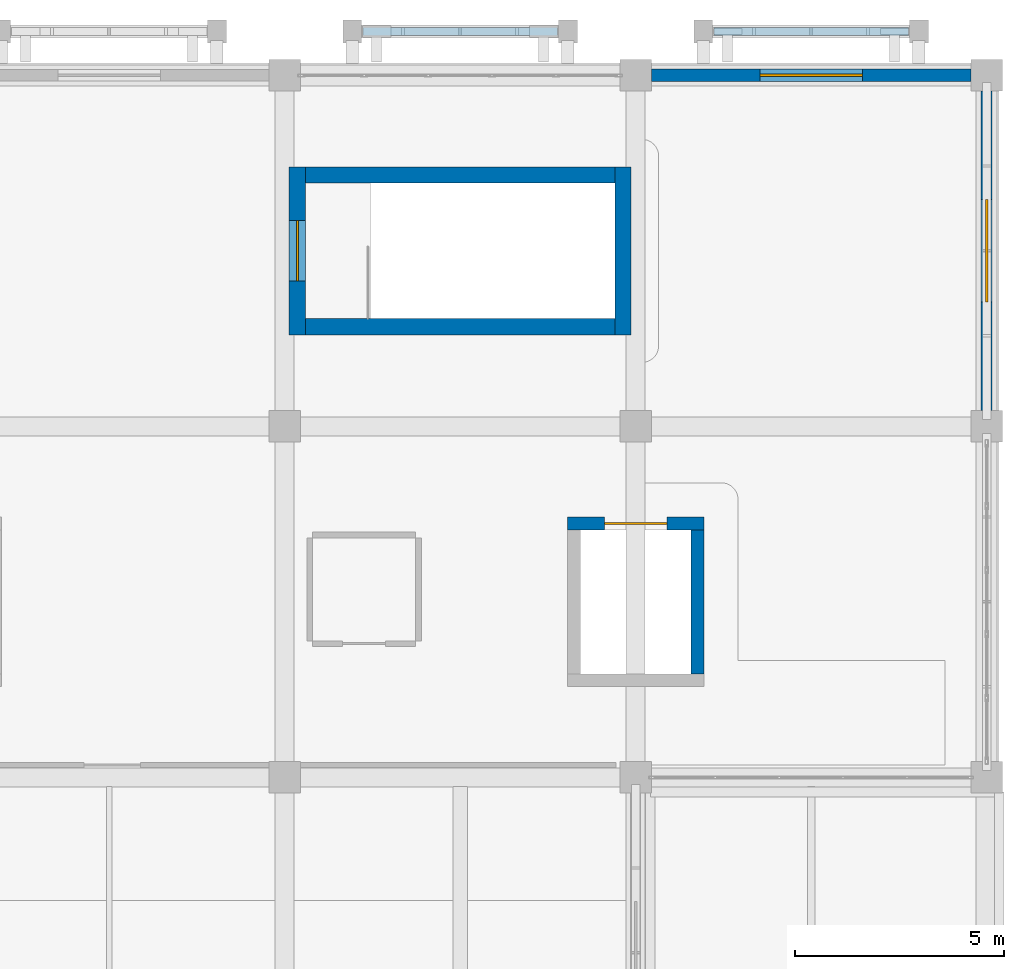
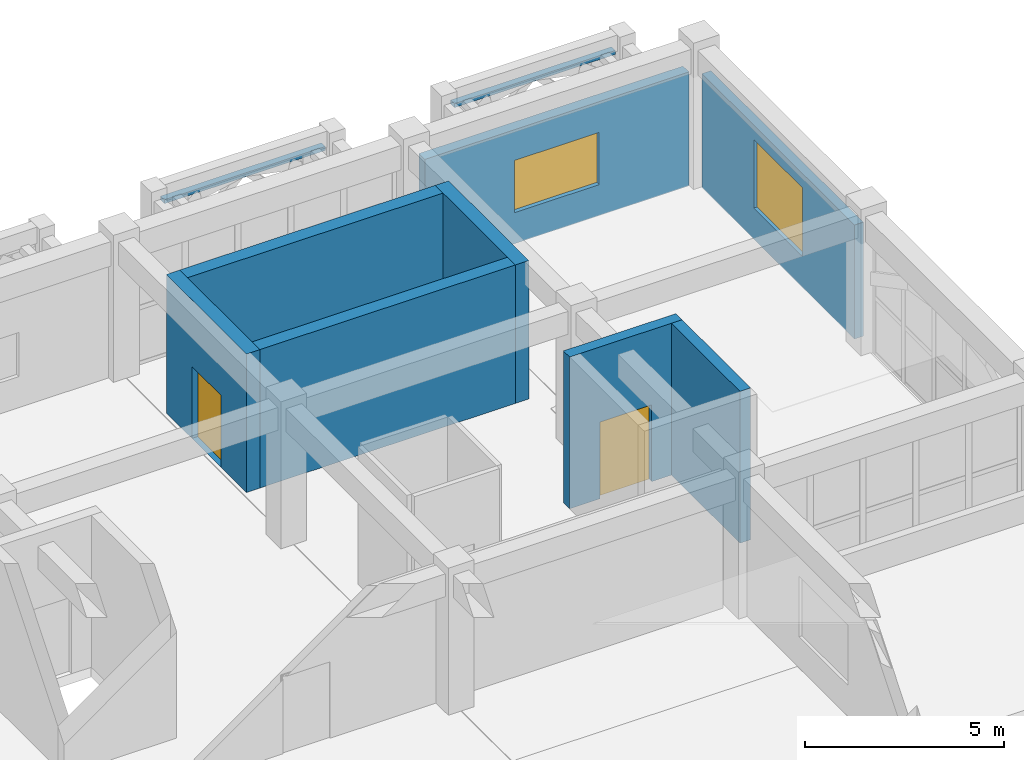
# One storey, part 107 of 114: 10 walls, 2 doors, 2 windows, 4 openings.
"""IFC4 building model written with IfcOpenShell, lengths in metres."""

import ifcopenshell
import ifcopenshell.guid

model = None  # the IFC model being written
_history = None  # IfcOwnerHistory: only IFC2X3 demands one
_inside = {}  # id of a spatial element -> (the spatial element, [elements in it])
_under = {}  # id of a project, library or spatial element -> (it, [spatial elements below it])
_declared = {}  # id of a project -> (the project, [libraries it declares])
_typed = {}  # id of a type object -> (the type object, [elements of that type])
_made_of = {}  # id of a material, layer set ... -> (it, [elements and type objects made of it])


def new_model(schema):
    """Start an empty IFC model of exactly this schema.

    Asked for "IFC4X3", IfcOpenShell would pick the latest addendum, in which some entities
    have other attributes; the version numbers below select the first issue.
    IFC2X3 requires an IfcOwnerHistory on every rooted entity: one is made here for all.
    """
    global model, _history
    if schema == "IFC4X3":
        model = ifcopenshell.file(schema_version=(4, 3, 0, 0))
    else:
        model = ifcopenshell.file(schema=schema)
    _inside.clear()
    _under.clear()
    _declared.clear()
    _typed.clear()
    _made_of.clear()
    _history = None
    if model.schema == "IFC2X3":
        org = make("IfcOrganization", Name="unknown")
        user = make(
            "IfcPersonAndOrganization",
            ThePerson=make("IfcPerson", FamilyName="unknown"),
            TheOrganization=org,
        )
        app = make(
            "IfcApplication",
            ApplicationDeveloper=org,
            Version="unknown",
            ApplicationFullName="unknown",
            ApplicationIdentifier="unknown",
        )
        _history = make(
            "IfcOwnerHistory",
            OwningUser=user,
            OwningApplication=app,
            ChangeAction="ADDED",
            CreationDate=0,
        )
    return model


def make(cls, **values):
    """One entity of the class cls with the attributes given. An attribute that is None is left unset."""
    return model.create_entity(
        cls, **{name: value for name, value in values.items() if value is not None}
    )


def rooted(cls, **values):
    """An entity with a GlobalId (a new one), such as an element, a storey or a relation."""
    return make(cls, GlobalId=ifcopenshell.guid.new(), OwnerHistory=_history, **values)


def si_unit(unit_type, name, prefix=None):
    """IfcSIUnit, for example si_unit("LENGTHUNIT", "METRE", prefix="MILLI")."""
    return make("IfcSIUnit", UnitType=unit_type, Prefix=prefix, Name=name)


def assignment(units):
    """IfcUnitAssignment: the units of a project."""
    return None if units is None else make("IfcUnitAssignment", Units=units)


def point(xyz):
    """IfcCartesianPoint."""
    return None if xyz is None else make("IfcCartesianPoint", Coordinates=xyz)


def direction(xyz):
    """IfcDirection."""
    return None if xyz is None else make("IfcDirection", DirectionRatios=xyz)


def frame(location, z_axis=None, x_axis=None):
    """IfcAxis2Placement3D, a coordinate frame: its origin and axes. An axis left out is left unset."""
    return make(
        "IfcAxis2Placement3D",
        Location=point(location),
        Axis=direction(z_axis),
        RefDirection=direction(x_axis),
    )


def frame_2d(location, x_axis=None):
    """IfcAxis2Placement2D, a coordinate frame in the plane: its origin and x axis."""
    return make(
        "IfcAxis2Placement2D", Location=point(location), RefDirection=direction(x_axis)
    )


def origin():
    """The frame at (0, 0, 0) with its axes left unset."""
    return frame((0.0, 0.0, 0.0))


def place(relative_to, where):
    """IfcLocalPlacement: puts the frame where relative to a parent placement (None: the world)."""
    return make(
        "IfcLocalPlacement", PlacementRelTo=relative_to, RelativePlacement=where
    )


def context(
    kind, dimensions, precision=None, world=None, true_north=None, identifier=None
):
    """IfcGeometricRepresentationContext, for example the 3D "Model" context."""
    return make(
        "IfcGeometricRepresentationContext",
        ContextIdentifier=identifier,
        ContextType=kind,
        CoordinateSpaceDimension=dimensions,
        Precision=precision,
        WorldCoordinateSystem=world,
        TrueNorth=true_north,
    )


def subcontext(parent, identifier, kind, view, scale=None):
    """IfcGeometricRepresentationSubContext, for example "Body" below "Model"."""
    return make(
        "IfcGeometricRepresentationSubContext",
        ContextIdentifier=identifier,
        ContextType=kind,
        ParentContext=parent,
        TargetScale=scale,
        TargetView=view,
    )


def project(units=None, contexts=None):
    """IfcProject with its units and contexts."""
    return rooted(
        "IfcProject",
        Name="project",
        RepresentationContexts=contexts,
        UnitsInContext=assignment(units),
    )


def spatial(cls, under=None, at=None, **own):
    """A site, building, storey or space (cls), placed at a placement, below another one or the project."""
    s = rooted(cls, ObjectPlacement=at, **own)
    if under is not None:
        _under.setdefault(under.id(), (under, []))[1].append(s)
    return s


def profile(cls, at=None, kind="AREA", **sizes):
    """A parametric profile (cls). Its sizes go by their IFC names, for example OverallWidth=200.0."""
    return make(cls, ProfileType=kind, Position=at, **sizes)


def rectangle(**sizes):
    """IfcRectangleProfileDef."""
    return profile("IfcRectangleProfileDef", **sizes)


def extrude(swept, where, along, depth):
    """IfcExtrudedAreaSolid: the profile swept, set in the frame where, extruded along a direction by depth."""
    return make(
        "IfcExtrudedAreaSolid",
        SweptArea=swept,
        Position=where,
        ExtrudedDirection=direction(along),
        Depth=depth,
    )


def shape(context_of_items, identifier, shape_type, items):
    """IfcShapeRepresentation: the items that make up one representation, for example the "Body"."""
    return make(
        "IfcShapeRepresentation",
        ContextOfItems=context_of_items,
        RepresentationIdentifier=identifier,
        RepresentationType=shape_type,
        Items=items,
    )


def material(Name=None, Category=None):
    """IfcMaterial."""
    return make("IfcMaterial", Name=Name, Category=Category)


def layer(
    of_material, thickness, ventilated=None, Name=None, Category=None, Priority=None
):
    """IfcMaterialLayer: one layer of a wall or slab, of a material (None: an air gap)."""
    return make(
        "IfcMaterialLayer",
        Material=of_material,
        LayerThickness=thickness,
        IsVentilated=ventilated,
        Name=Name,
        Category=Category,
        Priority=Priority,
    )


def layer_set(layers, Name=None):
    """IfcMaterialLayerSet."""
    return make("IfcMaterialLayerSet", MaterialLayers=layers, LayerSetName=Name)


def made_of(thing, what):
    """Note that an element or type object is made of a material, layer set ...; save() writes the relation."""
    if what is not None:
        _made_of.setdefault(what.id(), (what, []))[1].append(thing)
    return thing


def type_object(cls, material=None, **own):
    """A type object (cls), such as IfcWallType, which elements share."""
    return made_of(rooted(cls, **own), material)


def element(
    cls,
    number,
    at=None,
    inside=None,
    cuts=None,
    type_object=None,
    material=None,
    context=None,
    identifier="Body",
    shape_type=None,
    held_by="IfcProductDefinitionShape",
    body=None,
    shapes=None,
    **own,
):
    """One element of the class cls, such as IfcWall. Its Tag is "e" and its number.

    at: its placement. inside: the storey or other place that contains it. cuts: it is an
    opening in that element (IfcRelVoidsElement). A single representation is given by context,
    identifier, shape_type and body (its items); several are given by shapes. held_by: the class
    of the entity that holds the representations. save() writes the other relations.
    """
    e = rooted(cls, Tag="e%d" % number, ObjectPlacement=at, **own)
    if body is not None:
        shapes = [shape(context, identifier, shape_type, body)]
    if shapes is not None:
        e.Representation = make(held_by, Representations=shapes)
    if inside is not None:
        _inside.setdefault(inside.id(), (inside, []))[1].append(e)
    if cuts is not None:
        rooted(
            "IfcRelVoidsElement", RelatingBuildingElement=cuts, RelatedOpeningElement=e
        )
    if type_object is not None:
        _typed.setdefault(type_object.id(), (type_object, []))[1].append(e)
    return made_of(e, material)


def fill(opening, filler):
    """IfcRelFillsElement: the door or window that sits in an opening."""
    return rooted(
        "IfcRelFillsElement",
        RelatingOpeningElement=opening,
        RelatedBuildingElement=filler,
    )


def aggregate(whole, parts):
    """IfcRelAggregates: a whole, such as a stair, and the parts it consists of."""
    return rooted("IfcRelAggregates", RelatingObject=whole, RelatedObjects=parts)


def save(model, path):
    """Write the relations noted so far, then the file.

    IfcRelAggregates (storeys below a building ...), IfcRelContainedInSpatialStructure (elements
    in a storey), IfcRelDefinesByType, IfcRelAssociatesMaterial and IfcRelDeclares: one each for
    every whole, place, type object, material and project.
    """
    for whole, parts in _under.values():
        aggregate(whole, parts)
    for where, things in _inside.values():
        rooted(
            "IfcRelContainedInSpatialStructure",
            RelatedElements=things,
            RelatingStructure=where,
        )
    for kind, things in _typed.values():
        rooted("IfcRelDefinesByType", RelatedObjects=things, RelatingType=kind)
    for what, things in _made_of.values():
        rooted("IfcRelAssociatesMaterial", RelatedObjects=things, RelatingMaterial=what)
    for by, libraries in _declared.values():
        rooted("IfcRelDeclares", RelatingContext=by, RelatedDefinitions=libraries)
    model.write(path)


model = new_model("IFC4")

# Units and contexts
model_context = context("Model", 3, precision=1e-05, world=origin(), true_north=direction((0.0, 1.0)))
body_context = subcontext(model_context, "Body", "Model", "MODEL_VIEW")
ifc_project = project(units=[si_unit("LENGTHUNIT", "METRE"), si_unit("AREAUNIT", "SQUARE_METRE"), si_unit("VOLUMEUNIT", "CUBIC_METRE"), si_unit("PLANEANGLEUNIT", "RADIAN"), si_unit("MASSUNIT", "GRAM", prefix="KILO")], contexts=[model_context])

# Site, building, storey
site_placement = place(None, origin())
site = spatial("IfcSite", under=ifc_project, at=site_placement, CompositionType="ELEMENT")
building_placement = place(site_placement, origin())
building = spatial("IfcBuilding", under=site, at=building_placement, Name="Xazarin Passage Department Store", CompositionType="ELEMENT")
storey_placement = place(building_placement, frame((0.0, 0.0, 14.39990234375)))
storey = spatial("IfcBuildingStorey", under=building, at=storey_placement, Name="L03", CompositionType="ELEMENT", Elevation=14.39990234375)

# Wall, opening, window
ifc_material_1 = material(Name="Precast concrete C40/50", Category="concrete")
ifc_layer_1 = layer(ifc_material_1, 0.260009765625)
ifc_layer_set_1 = layer_set([ifc_layer_1], Name="Precast concrete C40/50")
wall_type_1 = type_object("IfcWallType", Name="ARC-W-EXT260", PredefinedType="SOLIDWALL", material=ifc_layer_set_1)
wall_1_placement = place(storey_placement, frame((144.39990234375, 101.97509765625, 0.0), z_axis=(0.0, 0.0, 1.0), x_axis=(0.0, 1.0, 0.0)))
wall_1 = element("IfcWall", 1, at=wall_1_placement, inside=storey, type_object=wall_type_1, Name="L03 V4 Exterior Wall 320", PredefinedType="SOLIDWALL", context=body_context, shape_type="SweptSolid", body=[
    extrude(rectangle(XDim=7.64990234375, YDim=0.260009765625, at=frame_2d((3.824951171875, 0.0))), origin(), (0.0, 0.0, 1.0), 3.489990234375),
])
opening_1_placement = place(wall_1_placement, frame((2.60009765625, 0.0, 0.949951171875)))
opening_1 = element("IfcOpeningElement", 2, at=opening_1_placement, cuts=wall_1, Name="Opening W44", PredefinedType="OPENING", context=body_context, shape_type="SweptSolid", body=[
    extrude(rectangle(XDim=2.449951171875, YDim=2.10009765625, at=frame_2d((1.22509765625, 1.050048828125))), frame((0.0, 0.139892578125, 0.0), z_axis=(0.0, -1.0, 0.0), x_axis=(1.0, 0.0, 0.0)), (0.0, 0.0, 1.0), 0.280029296875),
])
ifc_material_2 = material(Name="Low-E laminated safety glass", Category="glass")
window_type_1 = type_object("IfcWindowType", Name="ARC-WIN-W44", PartitioningType="DOUBLE_PANEL_VERTICAL", PredefinedType="WINDOW", material=ifc_material_2)
window_1_placement = place(opening_1_placement, origin())
window_1 = element("IfcWindow", 3, at=window_1_placement, inside=storey, type_object=window_type_1, Name="L03 V4 Facade Window 0092", OverallHeight=2.10009765625, OverallWidth=2.449951171875, PartitioningType="DOUBLE_PANEL_VERTICAL", PredefinedType="WINDOW", context=body_context, shape_type="SweptSolid", body=[
    extrude(rectangle(XDim=2.449951171875, YDim=2.10009765625, at=frame_2d((1.22509765625, 1.050048828125))), frame((0.0, 0.030029296875, 0.0), z_axis=(0.0, -1.0, 0.0), x_axis=(1.0, 0.0, 0.0)), (0.0, 0.0, 1.0), 0.06005859375),
])
fill(opening_1, window_1)

ifc_layer_2 = layer(ifc_material_1, 0.300048828125)
ifc_layer_set_2 = layer_set([ifc_layer_2], Name="Precast concrete C40/50")
wall_type_2 = type_object("IfcWallType", Name="ARC-W-EXT300", PredefinedType="SOLIDWALL", material=ifc_layer_set_2)
wall_2_placement = place(storey_placement, frame((136.375, 110.0, 0.0), z_axis=(0.0, 0.0, 1.0), x_axis=(1.0, 0.0, 0.0)))
wall_2 = element("IfcWall", 4, at=wall_2_placement, inside=storey, type_object=wall_type_2, Name="L03 V4 Exterior Wall 315", PredefinedType="SOLIDWALL", context=body_context, shape_type="SweptSolid", body=[
    extrude(rectangle(XDim=7.64990234375, YDim=0.300048828125, at=frame_2d((3.824951171875, 0.0))), origin(), (0.0, 0.0, 1.0), 3.489990234375),
])
opening_2_placement = place(wall_2_placement, frame((2.60009765625, 0.0, 0.949951171875)))
opening_2 = element("IfcOpeningElement", 5, at=opening_2_placement, cuts=wall_2, Name="Opening W42", PredefinedType="OPENING", context=body_context, shape_type="SweptSolid", body=[
    extrude(rectangle(XDim=2.449951171875, YDim=1.60009765625, at=frame_2d((1.22509765625, 0.800048828125))), frame((0.0, 0.159912109375, 0.0), z_axis=(0.0, -1.0, 0.0), x_axis=(1.0, 0.0, 0.0)), (0.0, 0.0, 1.0), 0.320068359375),
])
window_type_2 = type_object("IfcWindowType", Name="ARC-WIN-W42", PartitioningType="DOUBLE_PANEL_VERTICAL", PredefinedType="WINDOW", material=ifc_material_2)
window_2_placement = place(opening_2_placement, origin())
window_2 = element("IfcWindow", 6, at=window_2_placement, inside=storey, type_object=window_type_2, Name="L03 V4 Facade Window 0090", OverallHeight=1.60009765625, OverallWidth=2.449951171875, PartitioningType="DOUBLE_PANEL_VERTICAL", PredefinedType="WINDOW", context=body_context, shape_type="SweptSolid", body=[
    extrude(rectangle(XDim=2.449951171875, YDim=1.60009765625, at=frame_2d((1.22509765625, 0.800048828125))), frame((0.0, 0.030029296875, 0.0), z_axis=(0.0, -1.0, 0.0), x_axis=(1.0, 0.0, 0.0)), (0.0, 0.0, 1.0), 0.06005859375),
])
fill(opening_2, window_2)

# Walls
ifc_layer_3 = layer(ifc_material_1, 0.18994140625)
ifc_layer_set_3 = layer_set([ifc_layer_3], Name="Precast concrete C40/50")
wall_type_3 = type_object("IfcWallType", Name="ARC-W-PAR190", PredefinedType="PARAPET", material=ifc_layer_set_3)
for number, where, z_axis, x_axis, name in (
    (7, (129.469970703125, 111.050048828125, 3.880126953125), (0.0, 0.0, 1.0), (1.0, 0.0, 0.0), "L03 V4 Pierced-Arch Spandrel Lintel 0160"),
    (8, (137.8701171875, 111.050048828125, 3.880126953125), (0.0, 0.0, 1.0), (1.0, 0.0, 0.0), "L03 V4 Pierced-Arch Spandrel Lintel 0164"),
):
    element("IfcWall", number, at=place(storey_placement, frame(where, z_axis=z_axis, x_axis=x_axis)), inside=storey, type_object=wall_type_3, Name=name, PredefinedType="PARAPET", context=body_context, shape_type="SweptSolid", body=[
        extrude(rectangle(XDim=4.659912109375, YDim=0.18994140625, at=frame_2d((2.330078125, 0.0))), origin(), (0.0, 0.0, 1.0), 0.119873046875),
    ])

# Wall, opening, door
ifc_material_3 = material(Name="Concrete C40/50", Category="concrete")
ifc_layer_4 = layer(ifc_material_3, 0.31005859375)
ifc_layer_set_4 = layer_set([ifc_layer_4], Name="Concrete C40/50")
wall_type_4 = type_object("IfcWallType", Name="STR-W-LFT310", PredefinedType="SHEAR", material=ifc_layer_set_4)
wall_3_placement = place(storey_placement, frame((134.3701171875, 99.27490234375, 0.0), z_axis=(0.0, 0.0, 1.0), x_axis=(1.0, 0.0, 0.0)))
wall_3 = element("IfcWall", 9, at=wall_3_placement, inside=storey, type_object=wall_type_4, Name="L03 Lift GL2 Shaft Wall North", PredefinedType="SHEAR", context=body_context, shape_type="SweptSolid", body=[
    extrude(rectangle(XDim=3.259765625, YDim=0.31005859375, at=frame_2d((1.6298828125, 0.0))), origin(), (0.0, 0.0, 1.0), 4.650146484375),
])
opening_3_placement = place(wall_3_placement, frame((0.8798828125, 0.0, 0.0)))
opening_3 = element("IfcOpeningElement", 10, at=opening_3_placement, cuts=wall_3, Name="Opening LD-GL2-L03", PredefinedType="OPENING", context=body_context, shape_type="SweptSolid", body=[
    extrude(rectangle(XDim=1.5, YDim=2.35009765625, at=frame_2d((0.75, 1.175048828125))), frame((0.0, 0.1650390625, 0.0), z_axis=(0.0, -1.0, 0.0), x_axis=(1.0, 0.0, 0.0)), (0.0, 0.0, 1.0), 0.330078125),
])
ifc_material_4 = material(Name="Steel S355", Category="steel")
door_type_1 = type_object("IfcDoorType", Name="ARC-DR-LD150", OperationType="NOTDEFINED", PredefinedType="DOOR", material=ifc_material_4)
door_1_placement = place(opening_3_placement, origin())
door_1 = element("IfcDoor", 11, at=door_1_placement, inside=storey, type_object=door_type_1, Name="DR-LD-GL2-L03", OperationType="SLIDING_TO_LEFT", OverallHeight=2.35009765625, OverallWidth=1.5, PredefinedType="DOOR", context=body_context, shape_type="SweptSolid", body=[
    extrude(rectangle(XDim=1.5, YDim=2.35009765625, at=frame_2d((0.75, 1.175048828125))), frame((0.0, 0.02490234375, 0.0), z_axis=(0.0, -1.0, 0.0), x_axis=(1.0, 0.0, 0.0)), (0.0, 0.0, 1.0), 0.050048828125),
])
fill(opening_3, door_1)

# Wall
wall_4_placement = place(storey_placement, frame((137.47509765625, 95.679931640625, 0.0), z_axis=(0.0, 0.0, 1.0), x_axis=(0.0, 1.0, 0.0)))
element("IfcWall", 12, at=wall_4_placement, inside=storey, type_object=wall_type_4, Name="L03 Lift GL2 Shaft Wall East", PredefinedType="SHEAR", context=body_context, shape_type="SweptSolid", body=[
    extrude(rectangle(XDim=3.440185546875, YDim=0.31005859375, at=frame_2d((1.72021484375, 0.0))), origin(), (0.0, 0.0, 1.0), 4.650146484375),
])

# Wall, opening, door
ifc_layer_5 = layer(ifc_material_3, 0.389892578125)
ifc_layer_set_5 = layer_set([ifc_layer_5], Name="Concrete C40/50")
wall_type_5 = type_object("IfcWallType", Name="STR-W-SHR390", PredefinedType="SHEAR", material=ifc_layer_set_5)
wall_5_placement = place(storey_placement, frame((127.905029296875, 107.81005859375, 0.0), z_axis=(0.0, 0.0, 1.0), x_axis=(0.0, -1.0, 0.0)))
wall_5 = element("IfcWall", 13, at=wall_5_placement, inside=storey, type_object=wall_type_5, Name="L03 Core K11 West Shear Wall", PredefinedType="SHEAR", context=body_context, shape_type="SweptSolid", body=[
    extrude(rectangle(XDim=4.02001953125, YDim=0.389892578125, at=frame_2d((2.010009765625, 0.0))), origin(), (0.0, 0.0, 1.0), 4.239990234375),
])
opening_4_placement = place(wall_5_placement, frame((1.284912109375, 0.0, 0.0)))
opening_4 = element("IfcOpeningElement", 14, at=opening_4_placement, cuts=wall_5, Name="Opening FD1", PredefinedType="OPENING", context=body_context, shape_type="SweptSolid", body=[
    extrude(rectangle(XDim=1.449951171875, YDim=2.199951171875, at=frame_2d((0.72509765625, 1.10009765625))), frame((0.0, 0.204833984375, 0.0), z_axis=(0.0, -1.0, 0.0), x_axis=(1.0, 0.0, 0.0)), (0.0, 0.0, 1.0), 0.409912109375),
])
door_type_2 = type_object("IfcDoorType", Name="ARC-DR-STR145", OperationType="NOTDEFINED", PredefinedType="DOOR", material=ifc_material_4)
door_2_placement = place(opening_4_placement, origin())
door_2 = element("IfcDoor", 15, at=door_2_placement, inside=storey, type_object=door_type_2, Name="DR-STR-K11-L03", OperationType="SINGLE_SWING_LEFT", OverallHeight=2.199951171875, OverallWidth=1.449951171875, PredefinedType="DOOR", context=body_context, shape_type="SweptSolid", body=[
    extrude(rectangle(XDim=1.449951171875, YDim=2.199951171875, at=frame_2d((0.72509765625, 1.10009765625))), frame((0.0, 0.02490234375, 0.0), z_axis=(0.0, -1.0, 0.0), x_axis=(1.0, 0.0, 0.0)), (0.0, 0.0, 1.0), 0.050048828125),
])
fill(opening_4, door_2)

# Walls
wall_6_placement = place(storey_placement, frame((135.695068359375, 103.7900390625, 0.0), z_axis=(0.0, 0.0, 1.0), x_axis=(0.0, 1.0, 0.0)))
element("IfcWall", 16, at=wall_6_placement, inside=storey, type_object=wall_type_5, Name="L03 Core K11 East Shear Wall", PredefinedType="SHEAR", context=body_context, shape_type="SweptSolid", body=[
    extrude(rectangle(XDim=4.02001953125, YDim=0.389892578125, at=frame_2d((2.010009765625, 0.0))), origin(), (0.0, 0.0, 1.0), 4.239990234375),
])
for number, where, z_axis, x_axis, name in (
    (17, (128.10009765625, 103.985107421875, 0.0), (0.0, 0.0, 1.0), (1.0, 0.0, 0.0), "L03 Core K11 South Shear Wall"),
    (18, (128.10009765625, 107.614990234375, 0.0), (0.0, 0.0, 1.0), (1.0, 0.0, 0.0), "L03 Core K11 North Shear Wall"),
):
    element("IfcWall", number, at=place(storey_placement, frame(where, z_axis=z_axis, x_axis=x_axis)), inside=storey, type_object=wall_type_5, Name=name, PredefinedType="SHEAR", context=body_context, shape_type="SweptSolid", body=[
        extrude(rectangle(XDim=7.39990234375, YDim=0.389892578125, at=frame_2d((3.699951171875, 0.0))), origin(), (0.0, 0.0, 1.0), 4.239990234375),
    ])

save(model, "model.ifc")
